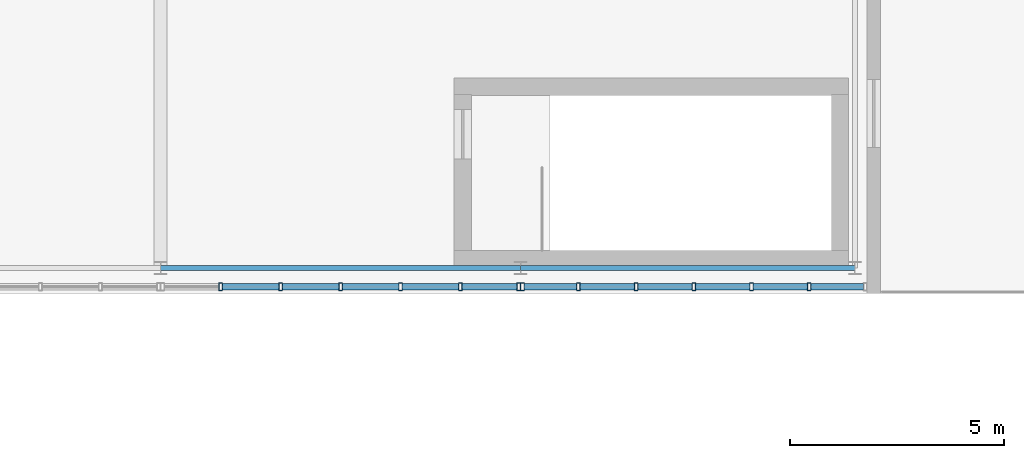
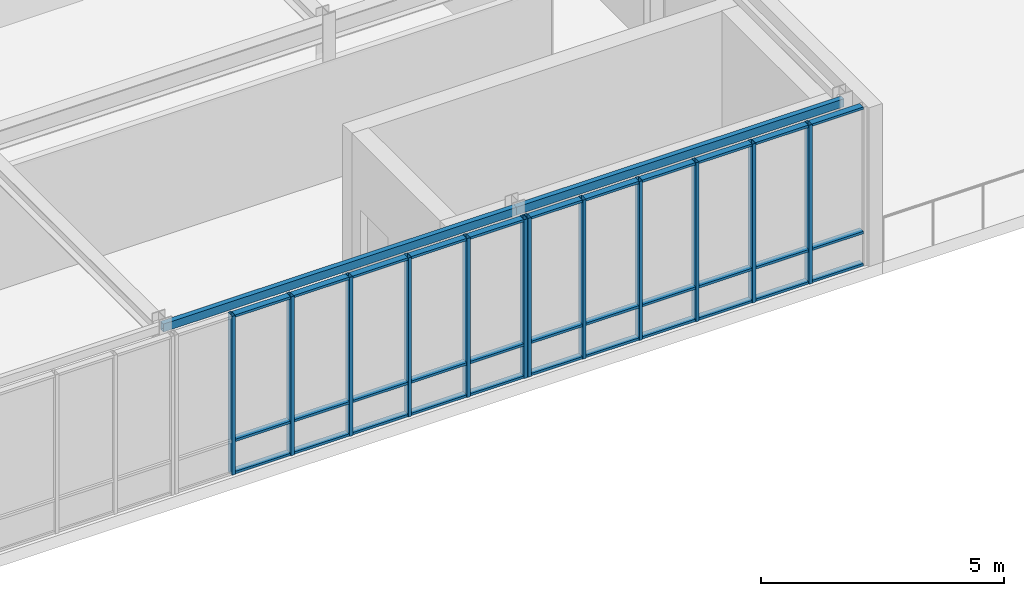
# One storey, part 76 of 127: 45 members, 2 beams, 2 elements without a shape of their own.
"""IFC4 building model written with IfcOpenShell, lengths in metres."""

from ifc_helpers import new_model, si_unit, direction, frame, origin, origin_2d, place, context, subcontext, project, spatial, hollow_rectangle, extrude, material, layer, layer_set, material_profile, profile_set, type_object, element, aggregate, save


model = new_model("IFC4")

# Units and contexts
model_context = context("Model", 3, precision=1e-05, world=origin(), true_north=direction((0.0, 1.0)))
body_context = subcontext(model_context, "Body", "Model", "MODEL_VIEW")
ifc_project = project(units=[si_unit("LENGTHUNIT", "METRE"), si_unit("AREAUNIT", "SQUARE_METRE"), si_unit("VOLUMEUNIT", "CUBIC_METRE"), si_unit("PLANEANGLEUNIT", "RADIAN"), si_unit("MASSUNIT", "GRAM", prefix="KILO")], contexts=[model_context])

# Site, building, storey
site_placement = place(None, origin())
site = spatial("IfcSite", under=ifc_project, at=site_placement, CompositionType="ELEMENT")
building_placement = place(site_placement, origin())
building = spatial("IfcBuilding", under=site, at=building_placement, Name="Zayran Congress Hotel", CompositionType="ELEMENT")
storey_placement = place(building_placement, frame((0.0, 0.0, 10.800048828125)))
storey = spatial("IfcBuildingStorey", under=building, at=storey_placement, Name="L02", CompositionType="ELEMENT", Elevation=10.800048828125)

# Beams
ifc_material_1 = material(Name="Steel S355", Category="steel")
ifc_material_profile_1 = material_profile(ifc_material_1, hollow_rectangle(XDim=0.1201171875, YDim=0.199951171875, WallThickness=0.008056640625, at=origin_2d()), Name="RHS 200x120x8")
ifc_profile_set_1 = profile_set([ifc_material_profile_1], Name="Steel S355")
beam_type = type_object("IfcBeamType", Name="TP-SP-02", PredefinedType="SPANDREL", material=ifc_profile_set_1)
beam_1_placement = place(storey_placement, frame((168.0, 9.39990234375, 3.89990234375), z_axis=(1.0, 0.0, 0.0), x_axis=(0.0, 1.0, 0.0)))
element("IfcBeam", 1, at=beam_1_placement, inside=storey, type_object=beam_type, Name="BM-V3-L02-1176", PredefinedType="SPANDREL", context=body_context, shape_type="SweptSolid", body=[
    extrude(hollow_rectangle(XDim=0.1201171875, YDim=0.199951171875, WallThickness=0.008056640625, at=origin_2d()), origin(), (0.0, 0.0, 1.0), 8.39990234375),
])
beam_2_placement = place(storey_placement, frame((176.39990234375, 9.39990234375, 3.89990234375), z_axis=(1.0, 0.0, 0.0), x_axis=(0.0, 1.0, 0.0)))
element("IfcBeam", 2, at=beam_2_placement, inside=storey, type_object=beam_type, Name="BM-V3-L02-1177", PredefinedType="SPANDREL", context=body_context, shape_type="SweptSolid", body=[
    extrude(hollow_rectangle(XDim=0.1201171875, YDim=0.199951171875, WallThickness=0.008056640625, at=origin_2d()), origin(), (0.0, 0.0, 1.0), 7.800048828125),
])

# Curtain wall, members
ifc_material_2 = material(Name="Anodised aluminium and low-E insulated glass", Category="aluminium")
ifc_layer_1 = layer(ifc_material_2, 0.179931640625)
ifc_layer_set_1 = layer_set([ifc_layer_1], Name="Anodised aluminium and low-E insulated glass")
curtain_wall_type_1 = type_object("IfcCurtainWallType", Name="CW-V3S-L02-CW-V31-8390-4000", PredefinedType="USERDEFINED", material=ifc_layer_set_1)
curtain_wall_1_placement = place(storey_placement, origin())
curtain_wall_1 = element("IfcCurtainWall", 3, at=curtain_wall_1_placement, inside=storey, type_object=curtain_wall_type_1, Name="CW-V3S-L02-2", ObjectType="CURTAIN WALL", PredefinedType="USERDEFINED")
ifc_material_3 = material(Name="Anodised aluminium framing", Category="aluminium")
ifc_material_profile_2 = material_profile(ifc_material_3, hollow_rectangle(XDim=0.080078125, YDim=0.179931640625, WallThickness=0.0048828125, at=origin_2d()), Name="RHS 180x80x5")
ifc_profile_set_2 = profile_set([ifc_material_profile_2], Name="Anodised aluminium framing")
member_type_1 = type_object("IfcMemberType", Name="TP-CWM-01", PredefinedType="MULLION", material=ifc_profile_set_2)
member_1_placement = place(storey_placement, frame((169.4033203125, 8.9599609375, 0.0), z_axis=(0.0, 0.0, 1.0), x_axis=(1.0, 0.0, 0.0)))
member_1 = element("IfcMember", 4, at=member_1_placement, type_object=member_type_1, Name="CW-V3S-L02-2-M01", PredefinedType="MULLION", context=body_context, shape_type="SweptSolid", body=[
    extrude(hollow_rectangle(XDim=0.080078125, YDim=0.179931640625, WallThickness=0.0048828125, at=origin_2d()), origin(), (0.0, 0.0, 1.0), 4.0),
])
member_2_placement = place(storey_placement, frame((170.8017578125, 8.9599609375, 0.0), z_axis=(0.0, 0.0, 1.0), x_axis=(1.0, 0.0, 0.0)))
member_2 = element("IfcMember", 5, at=member_2_placement, type_object=member_type_1, Name="CW-V3S-L02-2-M02", PredefinedType="MULLION", context=body_context, shape_type="SweptSolid", body=[
    extrude(hollow_rectangle(XDim=0.080078125, YDim=0.179931640625, WallThickness=0.0048828125, at=origin_2d()), origin(), (0.0, 0.0, 1.0), 4.0),
])
member_3_placement = place(storey_placement, frame((172.199951171875, 8.9599609375, 0.0), z_axis=(0.0, 0.0, 1.0), x_axis=(1.0, 0.0, 0.0)))
member_3 = element("IfcMember", 6, at=member_3_placement, type_object=member_type_1, Name="CW-V3S-L02-2-M03", PredefinedType="MULLION", context=body_context, shape_type="SweptSolid", body=[
    extrude(hollow_rectangle(XDim=0.080078125, YDim=0.179931640625, WallThickness=0.0048828125, at=origin_2d()), origin(), (0.0, 0.0, 1.0), 4.0),
])
member_4_placement = place(storey_placement, frame((173.598388671875, 8.9599609375, 0.0), z_axis=(0.0, 0.0, 1.0), x_axis=(1.0, 0.0, 0.0)))
member_4 = element("IfcMember", 7, at=member_4_placement, type_object=member_type_1, Name="CW-V3S-L02-2-M04", PredefinedType="MULLION", context=body_context, shape_type="SweptSolid", body=[
    extrude(hollow_rectangle(XDim=0.080078125, YDim=0.179931640625, WallThickness=0.0048828125, at=origin_2d()), origin(), (0.0, 0.0, 1.0), 4.0),
])
member_5_placement = place(storey_placement, frame((174.99658203125, 8.9599609375, 0.0), z_axis=(0.0, 0.0, 1.0), x_axis=(1.0, 0.0, 0.0)))
member_5 = element("IfcMember", 8, at=member_5_placement, type_object=member_type_1, Name="CW-V3S-L02-2-M05", PredefinedType="MULLION", context=body_context, shape_type="SweptSolid", body=[
    extrude(hollow_rectangle(XDim=0.080078125, YDim=0.179931640625, WallThickness=0.0048828125, at=origin_2d()), origin(), (0.0, 0.0, 1.0), 4.0),
])
member_6_placement = place(storey_placement, frame((176.35498046875, 8.9599609375, 0.0), z_axis=(0.0, 0.0, 1.0), x_axis=(1.0, 0.0, 0.0)))
member_6 = element("IfcMember", 9, at=member_6_placement, type_object=member_type_1, Name="CW-V3S-L02-2-M06", PredefinedType="MULLION", context=body_context, shape_type="SweptSolid", body=[
    extrude(hollow_rectangle(XDim=0.080078125, YDim=0.179931640625, WallThickness=0.0048828125, at=origin_2d()), origin(), (0.0, 0.0, 1.0), 4.0),
])

ifc_layer_2 = layer(ifc_material_2, 0.179931640625)
ifc_layer_set_2 = layer_set([ifc_layer_2], Name="Anodised aluminium and low-E insulated glass")
curtain_wall_type_2 = type_object("IfcCurtainWallType", Name="CW-V3S-L02-CW-V32-8075-4000", PredefinedType="USERDEFINED", material=ifc_layer_set_2)
curtain_wall_2_placement = place(storey_placement, origin())
curtain_wall_2 = element("IfcCurtainWall", 10, at=curtain_wall_2_placement, inside=storey, type_object=curtain_wall_type_2, Name="CW-V3S-L02-3", ObjectType="CURTAIN WALL", PredefinedType="USERDEFINED")
member_7_placement = place(storey_placement, frame((176.445068359375, 8.9599609375, 0.0), z_axis=(0.0, 0.0, 1.0), x_axis=(1.0, 0.0, 0.0)))
member_7 = element("IfcMember", 11, at=member_7_placement, type_object=member_type_1, Name="CW-V3S-L02-3-M00", PredefinedType="MULLION", context=body_context, shape_type="SweptSolid", body=[
    extrude(hollow_rectangle(XDim=0.080078125, YDim=0.179931640625, WallThickness=0.0048828125, at=origin_2d()), origin(), (0.0, 0.0, 1.0), 4.0),
])
member_8_placement = place(storey_placement, frame((177.750732421875, 8.9599609375, 0.0), z_axis=(0.0, 0.0, 1.0), x_axis=(1.0, 0.0, 0.0)))
member_8 = element("IfcMember", 12, at=member_8_placement, type_object=member_type_1, Name="CW-V3S-L02-3-M01", PredefinedType="MULLION", context=body_context, shape_type="SweptSolid", body=[
    extrude(hollow_rectangle(XDim=0.080078125, YDim=0.179931640625, WallThickness=0.0048828125, at=origin_2d()), origin(), (0.0, 0.0, 1.0), 4.0),
])
member_9_placement = place(storey_placement, frame((179.0966796875, 8.9599609375, 0.0), z_axis=(0.0, 0.0, 1.0), x_axis=(1.0, 0.0, 0.0)))
member_9 = element("IfcMember", 13, at=member_9_placement, type_object=member_type_1, Name="CW-V3S-L02-3-M02", PredefinedType="MULLION", context=body_context, shape_type="SweptSolid", body=[
    extrude(hollow_rectangle(XDim=0.080078125, YDim=0.179931640625, WallThickness=0.0048828125, at=origin_2d()), origin(), (0.0, 0.0, 1.0), 4.0),
])
member_10_placement = place(storey_placement, frame((180.4423828125, 8.9599609375, 0.0), z_axis=(0.0, 0.0, 1.0), x_axis=(1.0, 0.0, 0.0)))
member_10 = element("IfcMember", 14, at=member_10_placement, type_object=member_type_1, Name="CW-V3S-L02-3-M03", PredefinedType="MULLION", context=body_context, shape_type="SweptSolid", body=[
    extrude(hollow_rectangle(XDim=0.080078125, YDim=0.179931640625, WallThickness=0.0048828125, at=origin_2d()), origin(), (0.0, 0.0, 1.0), 4.0),
])
member_11_placement = place(storey_placement, frame((181.788330078125, 8.9599609375, 0.0), z_axis=(0.0, 0.0, 1.0), x_axis=(1.0, 0.0, 0.0)))
member_11 = element("IfcMember", 15, at=member_11_placement, type_object=member_type_1, Name="CW-V3S-L02-3-M04", PredefinedType="MULLION", context=body_context, shape_type="SweptSolid", body=[
    extrude(hollow_rectangle(XDim=0.080078125, YDim=0.179931640625, WallThickness=0.0048828125, at=origin_2d()), origin(), (0.0, 0.0, 1.0), 4.0),
])
member_12_placement = place(storey_placement, frame((183.13427734375, 8.9599609375, 0.0), z_axis=(0.0, 0.0, 1.0), x_axis=(1.0, 0.0, 0.0)))
member_12 = element("IfcMember", 16, at=member_12_placement, type_object=member_type_1, Name="CW-V3S-L02-3-M05", PredefinedType="MULLION", context=body_context, shape_type="SweptSolid", body=[
    extrude(hollow_rectangle(XDim=0.080078125, YDim=0.179931640625, WallThickness=0.0048828125, at=origin_2d()), origin(), (0.0, 0.0, 1.0), 4.0),
])

# Member
ifc_material_profile_3 = material_profile(ifc_material_3, hollow_rectangle(XDim=0.06005859375, YDim=0.14990234375, WallThickness=0.00390625, at=origin_2d()), Name="RHS 150x60x4")
ifc_profile_set_3 = profile_set([ifc_material_profile_3], Name="Anodised aluminium framing")
member_type_2 = type_object("IfcMemberType", Name="TP-CWT-01", PredefinedType="USERDEFINED", material=ifc_profile_set_3)
member_13_placement = place(storey_placement, frame((169.443359375, 8.9599609375, 0.030029296875), z_axis=(1.0, 0.0, 0.0), x_axis=(0.0, 0.0, 1.0)))
member_13 = element("IfcMember", 17, at=member_13_placement, type_object=member_type_2, Name="CW-V3S-L02-2-T01-0", ObjectType="TRANSOM", PredefinedType="USERDEFINED", context=body_context, shape_type="SweptSolid", body=[
    extrude(hollow_rectangle(XDim=0.06005859375, YDim=0.14990234375, WallThickness=0.00390625, at=origin_2d()), origin(), (0.0, 0.0, 1.0), 1.318359375),
])

member_14_placement = place(storey_placement, frame((169.443359375, 8.9599609375, 0.83984375), z_axis=(1.0, 0.0, 0.0), x_axis=(0.0, 0.0, 1.0)))
member_14 = element("IfcMember", 18, at=member_14_placement, type_object=member_type_2, Name="CW-V3S-L02-2-T01-1", ObjectType="TRANSOM", PredefinedType="USERDEFINED", context=body_context, shape_type="SweptSolid", body=[
    extrude(hollow_rectangle(XDim=0.06005859375, YDim=0.14990234375, WallThickness=0.00390625, at=origin_2d()), origin(), (0.0, 0.0, 1.0), 1.318359375),
])

member_15_placement = place(storey_placement, frame((169.443359375, 8.9599609375, 3.969970703125), z_axis=(1.0, 0.0, 0.0), x_axis=(0.0, 0.0, 1.0)))
member_15 = element("IfcMember", 19, at=member_15_placement, type_object=member_type_2, Name="CW-V3S-L02-2-T01-2", ObjectType="TRANSOM", PredefinedType="USERDEFINED", context=body_context, shape_type="SweptSolid", body=[
    extrude(hollow_rectangle(XDim=0.06005859375, YDim=0.14990234375, WallThickness=0.00390625, at=origin_2d()), origin(), (0.0, 0.0, 1.0), 1.318359375),
])

member_16_placement = place(storey_placement, frame((170.841796875, 8.9599609375, 0.030029296875), z_axis=(1.0, 0.0, 0.0), x_axis=(0.0, 0.0, 1.0)))
member_16 = element("IfcMember", 20, at=member_16_placement, type_object=member_type_2, Name="CW-V3S-L02-2-T02-0", ObjectType="TRANSOM", PredefinedType="USERDEFINED", context=body_context, shape_type="SweptSolid", body=[
    extrude(hollow_rectangle(XDim=0.06005859375, YDim=0.14990234375, WallThickness=0.00390625, at=origin_2d()), origin(), (0.0, 0.0, 1.0), 1.318115234375),
])

member_17_placement = place(storey_placement, frame((170.841796875, 8.9599609375, 0.83984375), z_axis=(1.0, 0.0, 0.0), x_axis=(0.0, 0.0, 1.0)))
member_17 = element("IfcMember", 21, at=member_17_placement, type_object=member_type_2, Name="CW-V3S-L02-2-T02-1", ObjectType="TRANSOM", PredefinedType="USERDEFINED", context=body_context, shape_type="SweptSolid", body=[
    extrude(hollow_rectangle(XDim=0.06005859375, YDim=0.14990234375, WallThickness=0.00390625, at=origin_2d()), origin(), (0.0, 0.0, 1.0), 1.318115234375),
])

member_18_placement = place(storey_placement, frame((170.841796875, 8.9599609375, 3.969970703125), z_axis=(1.0, 0.0, 0.0), x_axis=(0.0, 0.0, 1.0)))
member_18 = element("IfcMember", 22, at=member_18_placement, type_object=member_type_2, Name="CW-V3S-L02-2-T02-2", ObjectType="TRANSOM", PredefinedType="USERDEFINED", context=body_context, shape_type="SweptSolid", body=[
    extrude(hollow_rectangle(XDim=0.06005859375, YDim=0.14990234375, WallThickness=0.00390625, at=origin_2d()), origin(), (0.0, 0.0, 1.0), 1.318115234375),
])

member_19_placement = place(storey_placement, frame((172.239990234375, 8.9599609375, 0.030029296875), z_axis=(1.0, 0.0, 0.0), x_axis=(0.0, 0.0, 1.0)))
member_19 = element("IfcMember", 23, at=member_19_placement, type_object=member_type_2, Name="CW-V3S-L02-2-T03-0", ObjectType="TRANSOM", PredefinedType="USERDEFINED", context=body_context, shape_type="SweptSolid", body=[
    extrude(hollow_rectangle(XDim=0.06005859375, YDim=0.14990234375, WallThickness=0.00390625, at=origin_2d()), origin(), (0.0, 0.0, 1.0), 1.318359375),
])

member_20_placement = place(storey_placement, frame((172.239990234375, 8.9599609375, 0.83984375), z_axis=(1.0, 0.0, 0.0), x_axis=(0.0, 0.0, 1.0)))
member_20 = element("IfcMember", 24, at=member_20_placement, type_object=member_type_2, Name="CW-V3S-L02-2-T03-1", ObjectType="TRANSOM", PredefinedType="USERDEFINED", context=body_context, shape_type="SweptSolid", body=[
    extrude(hollow_rectangle(XDim=0.06005859375, YDim=0.14990234375, WallThickness=0.00390625, at=origin_2d()), origin(), (0.0, 0.0, 1.0), 1.318359375),
])

member_21_placement = place(storey_placement, frame((172.239990234375, 8.9599609375, 3.969970703125), z_axis=(1.0, 0.0, 0.0), x_axis=(0.0, 0.0, 1.0)))
member_21 = element("IfcMember", 25, at=member_21_placement, type_object=member_type_2, Name="CW-V3S-L02-2-T03-2", ObjectType="TRANSOM", PredefinedType="USERDEFINED", context=body_context, shape_type="SweptSolid", body=[
    extrude(hollow_rectangle(XDim=0.06005859375, YDim=0.14990234375, WallThickness=0.00390625, at=origin_2d()), origin(), (0.0, 0.0, 1.0), 1.318359375),
])

member_22_placement = place(storey_placement, frame((173.63818359375, 8.9599609375, 0.030029296875), z_axis=(1.0, 0.0, 0.0), x_axis=(0.0, 0.0, 1.0)))
member_22 = element("IfcMember", 26, at=member_22_placement, type_object=member_type_2, Name="CW-V3S-L02-2-T04-0", ObjectType="TRANSOM", PredefinedType="USERDEFINED", context=body_context, shape_type="SweptSolid", body=[
    extrude(hollow_rectangle(XDim=0.06005859375, YDim=0.14990234375, WallThickness=0.00390625, at=origin_2d()), origin(), (0.0, 0.0, 1.0), 1.318603515625),
])

member_23_placement = place(storey_placement, frame((173.63818359375, 8.9599609375, 0.83984375), z_axis=(1.0, 0.0, 0.0), x_axis=(0.0, 0.0, 1.0)))
member_23 = element("IfcMember", 27, at=member_23_placement, type_object=member_type_2, Name="CW-V3S-L02-2-T04-1", ObjectType="TRANSOM", PredefinedType="USERDEFINED", context=body_context, shape_type="SweptSolid", body=[
    extrude(hollow_rectangle(XDim=0.06005859375, YDim=0.14990234375, WallThickness=0.00390625, at=origin_2d()), origin(), (0.0, 0.0, 1.0), 1.318603515625),
])

member_24_placement = place(storey_placement, frame((173.63818359375, 8.9599609375, 3.969970703125), z_axis=(1.0, 0.0, 0.0), x_axis=(0.0, 0.0, 1.0)))
member_24 = element("IfcMember", 28, at=member_24_placement, type_object=member_type_2, Name="CW-V3S-L02-2-T04-2", ObjectType="TRANSOM", PredefinedType="USERDEFINED", context=body_context, shape_type="SweptSolid", body=[
    extrude(hollow_rectangle(XDim=0.06005859375, YDim=0.14990234375, WallThickness=0.00390625, at=origin_2d()), origin(), (0.0, 0.0, 1.0), 1.318603515625),
])

member_25_placement = place(storey_placement, frame((175.03662109375, 8.9599609375, 0.030029296875), z_axis=(1.0, 0.0, 0.0), x_axis=(0.0, 0.0, 1.0)))
member_25 = element("IfcMember", 29, at=member_25_placement, type_object=member_type_2, Name="CW-V3S-L02-2-T05-0", ObjectType="TRANSOM", PredefinedType="USERDEFINED", context=body_context, shape_type="SweptSolid", body=[
    extrude(hollow_rectangle(XDim=0.06005859375, YDim=0.14990234375, WallThickness=0.00390625, at=origin_2d()), origin(), (0.0, 0.0, 1.0), 1.2783203125),
])

member_26_placement = place(storey_placement, frame((175.03662109375, 8.9599609375, 0.83984375), z_axis=(1.0, 0.0, 0.0), x_axis=(0.0, 0.0, 1.0)))
member_26 = element("IfcMember", 30, at=member_26_placement, type_object=member_type_2, Name="CW-V3S-L02-2-T05-1", ObjectType="TRANSOM", PredefinedType="USERDEFINED", context=body_context, shape_type="SweptSolid", body=[
    extrude(hollow_rectangle(XDim=0.06005859375, YDim=0.14990234375, WallThickness=0.00390625, at=origin_2d()), origin(), (0.0, 0.0, 1.0), 1.2783203125),
])

member_27_placement = place(storey_placement, frame((175.03662109375, 8.9599609375, 3.969970703125), z_axis=(1.0, 0.0, 0.0), x_axis=(0.0, 0.0, 1.0)))
member_27 = element("IfcMember", 31, at=member_27_placement, type_object=member_type_2, Name="CW-V3S-L02-2-T05-2", ObjectType="TRANSOM", PredefinedType="USERDEFINED", context=body_context, shape_type="SweptSolid", body=[
    extrude(hollow_rectangle(XDim=0.06005859375, YDim=0.14990234375, WallThickness=0.00390625, at=origin_2d()), origin(), (0.0, 0.0, 1.0), 1.2783203125),
])

aggregate(curtain_wall_1, [member_1, member_2, member_3, member_4, member_5, member_6, member_13, member_14, member_15, member_16, member_17, member_18, member_19, member_20, member_21, member_22, member_23, member_24, member_25, member_26, member_27])

member_28_placement = place(storey_placement, frame((176.485107421875, 8.9599609375, 0.030029296875), z_axis=(1.0, 0.0, 0.0), x_axis=(0.0, 0.0, 1.0)))
member_28 = element("IfcMember", 32, at=member_28_placement, type_object=member_type_2, Name="CW-V3S-L02-3-T00-0", ObjectType="TRANSOM", PredefinedType="USERDEFINED", context=body_context, shape_type="SweptSolid", body=[
    extrude(hollow_rectangle(XDim=0.06005859375, YDim=0.14990234375, WallThickness=0.00390625, at=origin_2d()), origin(), (0.0, 0.0, 1.0), 1.2255859375),
])

member_29_placement = place(storey_placement, frame((176.485107421875, 8.9599609375, 0.83984375), z_axis=(1.0, 0.0, 0.0), x_axis=(0.0, 0.0, 1.0)))
member_29 = element("IfcMember", 33, at=member_29_placement, type_object=member_type_2, Name="CW-V3S-L02-3-T00-1", ObjectType="TRANSOM", PredefinedType="USERDEFINED", context=body_context, shape_type="SweptSolid", body=[
    extrude(hollow_rectangle(XDim=0.06005859375, YDim=0.14990234375, WallThickness=0.00390625, at=origin_2d()), origin(), (0.0, 0.0, 1.0), 1.2255859375),
])

member_30_placement = place(storey_placement, frame((176.485107421875, 8.9599609375, 3.969970703125), z_axis=(1.0, 0.0, 0.0), x_axis=(0.0, 0.0, 1.0)))
member_30 = element("IfcMember", 34, at=member_30_placement, type_object=member_type_2, Name="CW-V3S-L02-3-T00-2", ObjectType="TRANSOM", PredefinedType="USERDEFINED", context=body_context, shape_type="SweptSolid", body=[
    extrude(hollow_rectangle(XDim=0.06005859375, YDim=0.14990234375, WallThickness=0.00390625, at=origin_2d()), origin(), (0.0, 0.0, 1.0), 1.2255859375),
])

member_31_placement = place(storey_placement, frame((177.790771484375, 8.9599609375, 0.030029296875), z_axis=(1.0, 0.0, 0.0), x_axis=(0.0, 0.0, 1.0)))
member_31 = element("IfcMember", 35, at=member_31_placement, type_object=member_type_2, Name="CW-V3S-L02-3-T01-0", ObjectType="TRANSOM", PredefinedType="USERDEFINED", context=body_context, shape_type="SweptSolid", body=[
    extrude(hollow_rectangle(XDim=0.06005859375, YDim=0.14990234375, WallThickness=0.00390625, at=origin_2d()), origin(), (0.0, 0.0, 1.0), 1.265869140625),
])

member_32_placement = place(storey_placement, frame((177.790771484375, 8.9599609375, 0.83984375), z_axis=(1.0, 0.0, 0.0), x_axis=(0.0, 0.0, 1.0)))
member_32 = element("IfcMember", 36, at=member_32_placement, type_object=member_type_2, Name="CW-V3S-L02-3-T01-1", ObjectType="TRANSOM", PredefinedType="USERDEFINED", context=body_context, shape_type="SweptSolid", body=[
    extrude(hollow_rectangle(XDim=0.06005859375, YDim=0.14990234375, WallThickness=0.00390625, at=origin_2d()), origin(), (0.0, 0.0, 1.0), 1.265869140625),
])

member_33_placement = place(storey_placement, frame((177.790771484375, 8.9599609375, 3.969970703125), z_axis=(1.0, 0.0, 0.0), x_axis=(0.0, 0.0, 1.0)))
member_33 = element("IfcMember", 37, at=member_33_placement, type_object=member_type_2, Name="CW-V3S-L02-3-T01-2", ObjectType="TRANSOM", PredefinedType="USERDEFINED", context=body_context, shape_type="SweptSolid", body=[
    extrude(hollow_rectangle(XDim=0.06005859375, YDim=0.14990234375, WallThickness=0.00390625, at=origin_2d()), origin(), (0.0, 0.0, 1.0), 1.265869140625),
])

member_34_placement = place(storey_placement, frame((179.13671875, 8.9599609375, 0.030029296875), z_axis=(1.0, 0.0, 0.0), x_axis=(0.0, 0.0, 1.0)))
member_34 = element("IfcMember", 38, at=member_34_placement, type_object=member_type_2, Name="CW-V3S-L02-3-T02-0", ObjectType="TRANSOM", PredefinedType="USERDEFINED", context=body_context, shape_type="SweptSolid", body=[
    extrude(hollow_rectangle(XDim=0.06005859375, YDim=0.14990234375, WallThickness=0.00390625, at=origin_2d()), origin(), (0.0, 0.0, 1.0), 1.265869140625),
])

member_35_placement = place(storey_placement, frame((179.13671875, 8.9599609375, 0.83984375), z_axis=(1.0, 0.0, 0.0), x_axis=(0.0, 0.0, 1.0)))
member_35 = element("IfcMember", 39, at=member_35_placement, type_object=member_type_2, Name="CW-V3S-L02-3-T02-1", ObjectType="TRANSOM", PredefinedType="USERDEFINED", context=body_context, shape_type="SweptSolid", body=[
    extrude(hollow_rectangle(XDim=0.06005859375, YDim=0.14990234375, WallThickness=0.00390625, at=origin_2d()), origin(), (0.0, 0.0, 1.0), 1.265869140625),
])

member_36_placement = place(storey_placement, frame((179.13671875, 8.9599609375, 3.969970703125), z_axis=(1.0, 0.0, 0.0), x_axis=(0.0, 0.0, 1.0)))
member_36 = element("IfcMember", 40, at=member_36_placement, type_object=member_type_2, Name="CW-V3S-L02-3-T02-2", ObjectType="TRANSOM", PredefinedType="USERDEFINED", context=body_context, shape_type="SweptSolid", body=[
    extrude(hollow_rectangle(XDim=0.06005859375, YDim=0.14990234375, WallThickness=0.00390625, at=origin_2d()), origin(), (0.0, 0.0, 1.0), 1.265869140625),
])

member_37_placement = place(storey_placement, frame((180.482421875, 8.9599609375, 0.030029296875), z_axis=(1.0, 0.0, 0.0), x_axis=(0.0, 0.0, 1.0)))
member_37 = element("IfcMember", 41, at=member_37_placement, type_object=member_type_2, Name="CW-V3S-L02-3-T03-0", ObjectType="TRANSOM", PredefinedType="USERDEFINED", context=body_context, shape_type="SweptSolid", body=[
    extrude(hollow_rectangle(XDim=0.06005859375, YDim=0.14990234375, WallThickness=0.00390625, at=origin_2d()), origin(), (0.0, 0.0, 1.0), 1.265869140625),
])

member_38_placement = place(storey_placement, frame((180.482421875, 8.9599609375, 0.83984375), z_axis=(1.0, 0.0, 0.0), x_axis=(0.0, 0.0, 1.0)))
member_38 = element("IfcMember", 42, at=member_38_placement, type_object=member_type_2, Name="CW-V3S-L02-3-T03-1", ObjectType="TRANSOM", PredefinedType="USERDEFINED", context=body_context, shape_type="SweptSolid", body=[
    extrude(hollow_rectangle(XDim=0.06005859375, YDim=0.14990234375, WallThickness=0.00390625, at=origin_2d()), origin(), (0.0, 0.0, 1.0), 1.265869140625),
])

member_39_placement = place(storey_placement, frame((180.482421875, 8.9599609375, 3.969970703125), z_axis=(1.0, 0.0, 0.0), x_axis=(0.0, 0.0, 1.0)))
member_39 = element("IfcMember", 43, at=member_39_placement, type_object=member_type_2, Name="CW-V3S-L02-3-T03-2", ObjectType="TRANSOM", PredefinedType="USERDEFINED", context=body_context, shape_type="SweptSolid", body=[
    extrude(hollow_rectangle(XDim=0.06005859375, YDim=0.14990234375, WallThickness=0.00390625, at=origin_2d()), origin(), (0.0, 0.0, 1.0), 1.265869140625),
])

member_40_placement = place(storey_placement, frame((181.828369140625, 8.9599609375, 0.030029296875), z_axis=(1.0, 0.0, 0.0), x_axis=(0.0, 0.0, 1.0)))
member_40 = element("IfcMember", 44, at=member_40_placement, type_object=member_type_2, Name="CW-V3S-L02-3-T04-0", ObjectType="TRANSOM", PredefinedType="USERDEFINED", context=body_context, shape_type="SweptSolid", body=[
    extrude(hollow_rectangle(XDim=0.06005859375, YDim=0.14990234375, WallThickness=0.00390625, at=origin_2d()), origin(), (0.0, 0.0, 1.0), 1.265869140625),
])

member_41_placement = place(storey_placement, frame((181.828369140625, 8.9599609375, 0.83984375), z_axis=(1.0, 0.0, 0.0), x_axis=(0.0, 0.0, 1.0)))
member_41 = element("IfcMember", 45, at=member_41_placement, type_object=member_type_2, Name="CW-V3S-L02-3-T04-1", ObjectType="TRANSOM", PredefinedType="USERDEFINED", context=body_context, shape_type="SweptSolid", body=[
    extrude(hollow_rectangle(XDim=0.06005859375, YDim=0.14990234375, WallThickness=0.00390625, at=origin_2d()), origin(), (0.0, 0.0, 1.0), 1.265869140625),
])

member_42_placement = place(storey_placement, frame((181.828369140625, 8.9599609375, 3.969970703125), z_axis=(1.0, 0.0, 0.0), x_axis=(0.0, 0.0, 1.0)))
member_42 = element("IfcMember", 46, at=member_42_placement, type_object=member_type_2, Name="CW-V3S-L02-3-T04-2", ObjectType="TRANSOM", PredefinedType="USERDEFINED", context=body_context, shape_type="SweptSolid", body=[
    extrude(hollow_rectangle(XDim=0.06005859375, YDim=0.14990234375, WallThickness=0.00390625, at=origin_2d()), origin(), (0.0, 0.0, 1.0), 1.265869140625),
])

member_43_placement = place(storey_placement, frame((183.17431640625, 8.9599609375, 0.030029296875), z_axis=(1.0, 0.0, 0.0), x_axis=(0.0, 0.0, 1.0)))
member_43 = element("IfcMember", 47, at=member_43_placement, type_object=member_type_2, Name="CW-V3S-L02-3-T05-0", ObjectType="TRANSOM", PredefinedType="USERDEFINED", context=body_context, shape_type="SweptSolid", body=[
    extrude(hollow_rectangle(XDim=0.06005859375, YDim=0.14990234375, WallThickness=0.00390625, at=origin_2d()), origin(), (0.0, 0.0, 1.0), 1.2255859375),
])

member_44_placement = place(storey_placement, frame((183.17431640625, 8.9599609375, 0.83984375), z_axis=(1.0, 0.0, 0.0), x_axis=(0.0, 0.0, 1.0)))
member_44 = element("IfcMember", 48, at=member_44_placement, type_object=member_type_2, Name="CW-V3S-L02-3-T05-1", ObjectType="TRANSOM", PredefinedType="USERDEFINED", context=body_context, shape_type="SweptSolid", body=[
    extrude(hollow_rectangle(XDim=0.06005859375, YDim=0.14990234375, WallThickness=0.00390625, at=origin_2d()), origin(), (0.0, 0.0, 1.0), 1.2255859375),
])

member_45_placement = place(storey_placement, frame((183.17431640625, 8.9599609375, 3.969970703125), z_axis=(1.0, 0.0, 0.0), x_axis=(0.0, 0.0, 1.0)))
member_45 = element("IfcMember", 49, at=member_45_placement, type_object=member_type_2, Name="CW-V3S-L02-3-T05-2", ObjectType="TRANSOM", PredefinedType="USERDEFINED", context=body_context, shape_type="SweptSolid", body=[
    extrude(hollow_rectangle(XDim=0.06005859375, YDim=0.14990234375, WallThickness=0.00390625, at=origin_2d()), origin(), (0.0, 0.0, 1.0), 1.2255859375),
])

aggregate(curtain_wall_2, [member_7, member_8, member_9, member_10, member_11, member_12, member_28, member_29, member_30, member_31, member_32, member_33, member_34, member_35, member_36, member_37, member_38, member_39, member_40, member_41, member_42, member_43, member_44, member_45])

save(model, "model.ifc")
